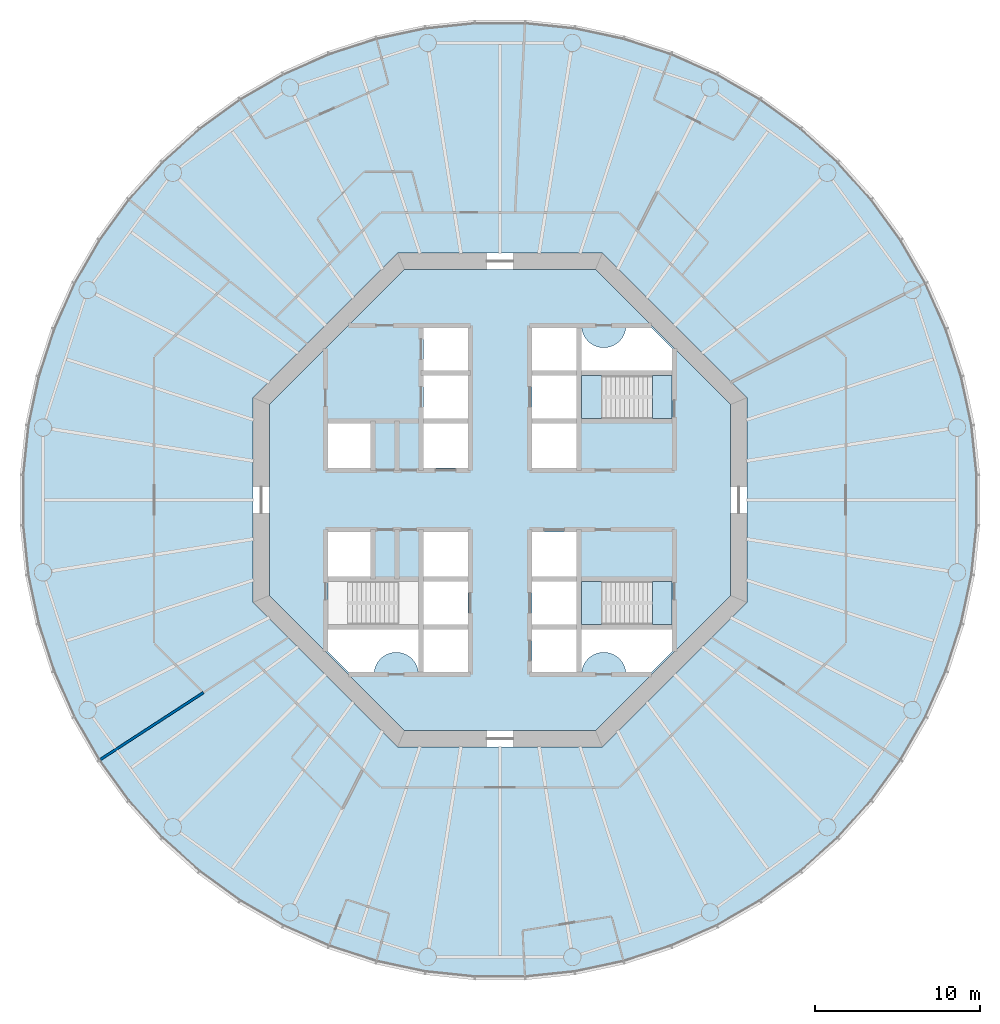
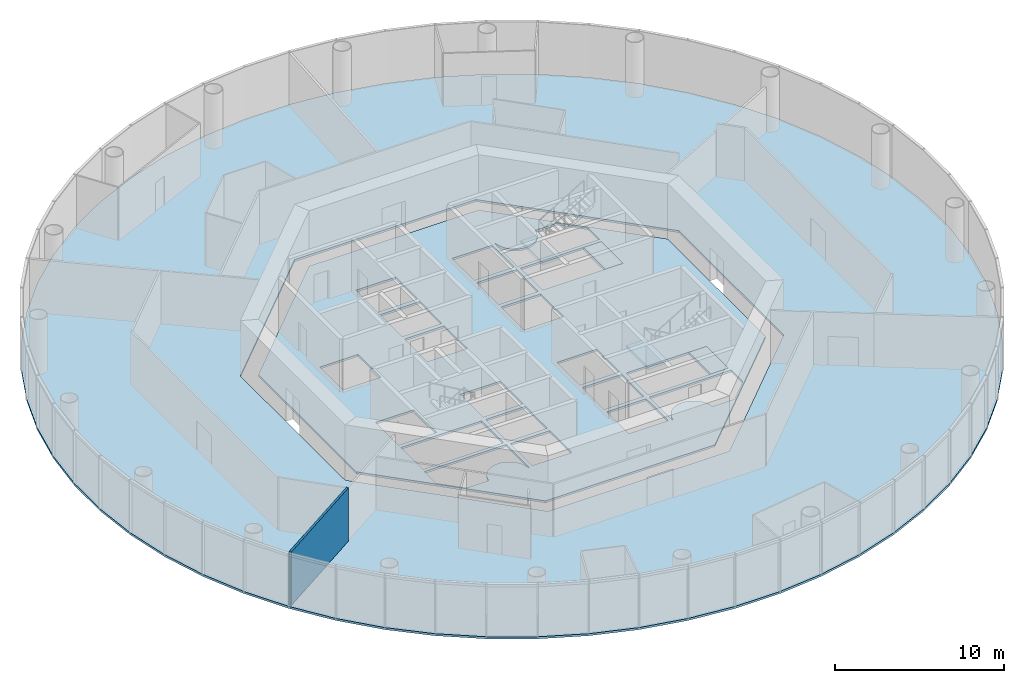
# One storey, part 2 of 13: 6 slabs, 1 wall, 2 elements without a shape of their own.
"""IFC4 building model written with IfcOpenShell, lengths in metres."""

from ifc_helpers import new_model, si_unit, direction, frame, frame_2d, origin, place, context, subcontext, project, spatial, polyline, rectangle, outline, extrude, material, layer, layer_set, type_object, element, aggregate, save


model = new_model("IFC4")

# Units and contexts
model_context = context("Model", 3, precision=1e-05, world=origin(), true_north=direction((0.0, 1.0)))
body_context = subcontext(model_context, "Body", "Model", "MODEL_VIEW")
ifc_project = project(units=[si_unit("LENGTHUNIT", "METRE"), si_unit("AREAUNIT", "SQUARE_METRE"), si_unit("VOLUMEUNIT", "CUBIC_METRE"), si_unit("PLANEANGLEUNIT", "RADIAN"), si_unit("MASSUNIT", "GRAM", prefix="KILO")], contexts=[model_context])

# Site, building, storey
site_placement = place(None, origin())
site = spatial("IfcSite", under=ifc_project, at=site_placement, CompositionType="ELEMENT")
building_placement = place(site_placement, origin())
building = spatial("IfcBuilding", under=site, at=building_placement, Name="Entoto Ring Tower", CompositionType="ELEMENT")
storey_placement = place(building_placement, frame((0.0, 0.0, 156.0)))
storey = spatial("IfcBuildingStorey", under=building, at=storey_placement, Name="L35", CompositionType="ELEMENT", Elevation=156.0)

# Slabs
ifc_material_1 = material(Name="Concrete C30/37", Category="concrete")
ifc_layer_1 = layer(ifc_material_1, 0.14990234375)
ifc_layer_set_1 = layer_set([ifc_layer_1], Name="Concrete C30/37")
slab_type_1 = type_object("IfcSlabType", Name="Composite floor slab 150 mm", PredefinedType="FLOOR", material=ifc_layer_set_1)
slab_1_placement = place(storey_placement, frame((0.0, 0.0, -0.14990234375)))
element("IfcSlab", 1, at=slab_1_placement, inside=storey, type_object=slab_type_1, Name="Floor slab L35", PredefinedType="FLOOR", context=body_context, shape_type="SweptSolid", body=[
    extrude(outline(polyline([(118.74169921875, 84.55224609375), (118.1083984375, 87.53173828125), (117.167236328125, 90.428466796875), (115.92822265625, 93.211181640625), (114.4052734375, 95.848876953125), (112.614990234375, 98.313232421875), (110.576904296875, 100.576904296875), (108.313232421875, 102.614990234375), (105.848876953125, 104.4052734375), (103.211181640625, 105.92822265625), (100.428466796875, 107.167236328125), (97.53173828125, 108.1083984375), (94.55224609375, 108.74169921875), (91.52294921875, 109.06005859375), (88.47705078125, 109.06005859375), (85.44775390625, 108.74169921875), (82.46826171875, 108.1083984375), (79.571533203125, 107.167236328125), (76.788818359375, 105.92822265625), (74.151123046875, 104.4052734375), (71.686767578125, 102.614990234375), (69.423095703125, 100.576904296875), (67.385009765625, 98.313232421875), (65.5947265625, 95.848876953125), (64.07177734375, 93.211181640625), (62.832763671875, 90.428466796875), (61.8916015625, 87.53173828125), (61.25830078125, 84.55224609375), (60.93994140625, 81.52294921875), (60.93994140625, 78.47705078125), (61.25830078125, 75.44775390625), (61.8916015625, 72.46826171875), (62.832763671875, 69.571533203125), (64.07177734375, 66.788818359375), (65.5947265625, 64.151123046875), (67.385009765625, 61.686767578125), (69.423095703125, 59.423095703125), (71.686767578125, 57.385009765625), (74.151123046875, 55.5947265625), (76.788818359375, 54.07177734375), (79.571533203125, 52.832763671875), (82.46826171875, 51.8916015625), (85.44775390625, 51.25830078125), (88.47705078125, 50.93994140625), (91.52294921875, 50.93994140625), (94.55224609375, 51.25830078125), (97.53173828125, 51.8916015625), (100.428466796875, 52.832763671875), (103.211181640625, 54.07177734375), (105.848876953125, 55.5947265625), (108.313232421875, 57.385009765625), (110.576904296875, 59.423095703125), (112.614990234375, 61.686767578125), (114.4052734375, 64.151123046875), (115.92822265625, 66.788818359375), (117.167236328125, 69.571533203125), (118.1083984375, 72.46826171875), (118.74169921875, 75.44775390625), (119.06005859375, 78.47705078125), (119.06005859375, 81.52294921875), (118.74169921875, 84.55224609375)]), holes=[polyline([(105.0, 73.786865234375), (105.0, 86.213134765625), (96.213134765625, 95.0), (83.786865234375, 95.0), (75.0, 86.213134765625), (75.0, 73.786865234375), (83.786865234375, 65.0), (96.213134765625, 65.0), (105.0, 73.786865234375)])]), origin(), (0.0, 0.0, 1.0), 0.14990234375),
])
ifc_material_2 = material(Name="Concrete C40/50", Category="concrete")
ifc_layer_2 = layer(ifc_material_2, 0.14990234375)
ifc_layer_set_2 = layer_set([ifc_layer_2], Name="Concrete C40/50")
slab_type_2 = type_object("IfcSlabType", Name="Core floor slab 150 mm reinforced concrete C40/50", PredefinedType="FLOOR", material=ifc_layer_set_2)
slab_2_placement = place(storey_placement, frame((0.0, 0.0, -0.14990234375)))
element("IfcSlab", 2, at=slab_2_placement, inside=storey, type_object=slab_type_2, Name="Core floor L35", PredefinedType="FLOOR", context=body_context, shape_type="SweptSolid", body=[
    extrude(outline(polyline([(104.0, 74.200927734375), (104.0, 85.799072265625), (95.799072265625, 94.0), (84.200927734375, 94.0), (76.0, 85.799072265625), (76.0, 74.200927734375), (84.200927734375, 66.0), (95.799072265625, 66.0), (104.0, 74.200927734375)]), holes=[polyline([(100.449951171875, 84.949951171875), (100.449951171875, 87.550048828125), (94.949951171875, 87.550048828125), (94.949951171875, 84.949951171875), (100.449951171875, 84.949951171875)]), polyline([(85.050048828125, 72.449951171875), (85.050048828125, 75.050048828125), (79.550048828125, 75.050048828125), (79.550048828125, 72.449951171875), (85.050048828125, 72.449951171875)]), polyline([(100.449951171875, 72.449951171875), (100.449951171875, 75.050048828125), (94.949951171875, 75.050048828125), (94.949951171875, 72.449951171875), (100.449951171875, 72.449951171875)]), polyline([(91.949951171875, 84.949951171875), (94.64990234375, 84.949951171875), (94.64990234375, 87.550048828125), (91.949951171875, 87.550048828125), (91.949951171875, 84.949951171875)]), polyline([(91.949951171875, 72.449951171875), (94.64990234375, 72.449951171875), (94.64990234375, 75.050048828125), (91.949951171875, 75.050048828125), (91.949951171875, 72.449951171875)]), polyline([(91.949951171875, 69.550048828125), (94.64990234375, 69.550048828125), (94.64990234375, 72.14990234375), (91.949951171875, 72.14990234375), (91.949951171875, 69.550048828125)]), polyline([(85.35009765625, 72.449951171875), (88.050048828125, 72.449951171875), (88.050048828125, 75.050048828125), (85.35009765625, 75.050048828125), (85.35009765625, 72.449951171875)]), polyline([(85.35009765625, 81.949951171875), (88.050048828125, 81.949951171875), (88.050048828125, 84.64990234375), (85.35009765625, 84.64990234375), (85.35009765625, 81.949951171875)]), polyline([(91.949951171875, 75.35009765625), (94.64990234375, 75.35009765625), (94.64990234375, 78.050048828125), (91.949951171875, 78.050048828125), (91.949951171875, 75.35009765625)]), polyline([(79.550048828125, 81.949951171875), (82.14990234375, 81.949951171875), (82.14990234375, 84.64990234375), (79.550048828125, 84.64990234375), (79.550048828125, 81.949951171875)]), polyline([(79.550048828125, 75.35009765625), (82.14990234375, 75.35009765625), (82.14990234375, 78.050048828125), (79.550048828125, 78.050048828125), (79.550048828125, 75.35009765625)]), polyline([(91.949951171875, 87.85009765625), (94.64990234375, 87.85009765625), (94.64990234375, 90.449951171875), (91.949951171875, 90.449951171875), (91.949951171875, 87.85009765625)]), polyline([(85.35009765625, 69.550048828125), (88.050048828125, 69.550048828125), (88.050048828125, 72.14990234375), (85.35009765625, 72.14990234375), (85.35009765625, 69.550048828125)]), polyline([(91.949951171875, 81.949951171875), (94.64990234375, 81.949951171875), (94.64990234375, 84.64990234375), (91.949951171875, 84.64990234375), (91.949951171875, 81.949951171875)]), polyline([(85.35009765625, 75.35009765625), (88.050048828125, 75.35009765625), (88.050048828125, 78.050048828125), (85.35009765625, 78.050048828125), (85.35009765625, 75.35009765625)]), polyline([(85.35009765625, 84.949951171875), (88.050048828125, 84.949951171875), (88.050048828125, 87.550048828125), (85.35009765625, 87.550048828125), (85.35009765625, 84.949951171875)]), polyline([(85.35009765625, 87.85009765625), (88.050048828125, 87.85009765625), (88.050048828125, 90.449951171875), (85.35009765625, 90.449951171875), (85.35009765625, 87.85009765625)]), polyline([(94.89990234375, 90.5), (94.89990234375, 87.800048828125), (100.5, 87.800048828125), (100.5, 89.15771484375), (99.15771484375, 90.5), (97.64501953125, 90.5), (97.6435546875, 90.4677734375), (97.6240234375, 90.336669921875), (97.591796875, 90.2080078125), (97.547119140625, 90.08349609375), (97.490478515625, 89.963623046875), (97.422607421875, 89.85009765625), (97.343505859375, 89.74365234375), (97.254638671875, 89.6455078125), (97.156494140625, 89.556396484375), (97.050048828125, 89.4775390625), (96.936279296875, 89.409423828125), (96.816650390625, 89.352783203125), (96.69189453125, 89.30810546875), (96.5634765625, 89.27587890625), (96.432373046875, 89.256591796875), (96.300048828125, 89.25), (96.167724609375, 89.256591796875), (96.03662109375, 89.27587890625), (95.908203125, 89.30810546875), (95.783447265625, 89.352783203125), (95.66357421875, 89.409423828125), (95.550048828125, 89.4775390625), (95.443603515625, 89.556396484375), (95.345458984375, 89.6455078125), (95.25634765625, 89.74365234375), (95.177490234375, 89.85009765625), (95.109375, 89.963623046875), (95.052734375, 90.08349609375), (95.008056640625, 90.2080078125), (94.975830078125, 90.336669921875), (94.95654296875, 90.4677734375), (94.954833984375, 90.5), (94.89990234375, 90.5)]), polyline([(79.5, 70.84228515625), (80.84228515625, 69.5), (82.35498046875, 69.5), (82.3564453125, 69.5322265625), (82.3759765625, 69.663330078125), (82.408203125, 69.7919921875), (82.452880859375, 69.91650390625), (82.509521484375, 70.036376953125), (82.577392578125, 70.14990234375), (82.656494140625, 70.25634765625), (82.745361328125, 70.3544921875), (82.843505859375, 70.443603515625), (82.949951171875, 70.5224609375), (83.063720703125, 70.590576171875), (83.183349609375, 70.647216796875), (83.30810546875, 70.69189453125), (83.4365234375, 70.72412109375), (83.567626953125, 70.743408203125), (83.699951171875, 70.75), (83.832275390625, 70.743408203125), (83.96337890625, 70.72412109375), (84.091796875, 70.69189453125), (84.216552734375, 70.647216796875), (84.33642578125, 70.590576171875), (84.449951171875, 70.5224609375), (84.556396484375, 70.443603515625), (84.654541015625, 70.3544921875), (84.74365234375, 70.25634765625), (84.822509765625, 70.14990234375), (84.890625, 70.036376953125), (84.947265625, 69.91650390625), (84.991943359375, 69.7919921875), (85.024169921875, 69.663330078125), (85.04345703125, 69.5322265625), (85.045166015625, 69.5), (85.10009765625, 69.5), (85.10009765625, 72.199951171875), (79.5, 72.199951171875), (79.5, 70.84228515625)]), polyline([(97.64501953125, 69.5), (99.15771484375, 69.5), (100.5, 70.84228515625), (100.5, 72.199951171875), (94.89990234375, 72.199951171875), (94.89990234375, 69.5), (94.954833984375, 69.5), (94.95654296875, 69.5322265625), (94.975830078125, 69.663330078125), (95.008056640625, 69.7919921875), (95.052734375, 69.91650390625), (95.109375, 70.036376953125), (95.177490234375, 70.14990234375), (95.25634765625, 70.25634765625), (95.345458984375, 70.3544921875), (95.443603515625, 70.443603515625), (95.550048828125, 70.5224609375), (95.66357421875, 70.590576171875), (95.783447265625, 70.647216796875), (95.908203125, 70.69189453125), (96.03662109375, 70.72412109375), (96.167724609375, 70.743408203125), (96.300048828125, 70.75), (96.432373046875, 70.743408203125), (96.5634765625, 70.72412109375), (96.69189453125, 70.69189453125), (96.816650390625, 70.647216796875), (96.936279296875, 70.590576171875), (97.050048828125, 70.5224609375), (97.156494140625, 70.443603515625), (97.254638671875, 70.3544921875), (97.343505859375, 70.25634765625), (97.422607421875, 70.14990234375), (97.490478515625, 70.036376953125), (97.547119140625, 69.91650390625), (97.591796875, 69.7919921875), (97.6240234375, 69.663330078125), (97.6435546875, 69.5322265625), (97.64501953125, 69.5)])]), origin(), (0.0, 0.0, 1.0), 0.14990234375),
])

# Stair, slabs
ifc_material_3 = material(Name="Concrete C40/50", Category="concrete")
stair_type = type_object("IfcStairType", Name="Exit stair 1200 mm dog-leg reinforced concrete", PredefinedType="HALF_TURN_STAIR", material=ifc_material_3)
stair_1_placement = place(storey_placement, origin())
stair_1 = element("IfcStair", 3, at=stair_1_placement, inside=storey, type_object=stair_type, Name="Exit stair 1", PredefinedType="HALF_TURN_STAIR")
ifc_material_4 = material(Name="Concrete C40/50", Category="concrete")
ifc_layer_3 = layer(ifc_material_4, 0.199951171875)
ifc_layer_set_3 = layer_set([ifc_layer_3], Name="Concrete C40/50")
slab_type_3 = type_object("IfcSlabType", Name="Stair landing 200 mm reinforced concrete", PredefinedType="LANDING", material=ifc_layer_set_3)
slab_3_placement = place(storey_placement, frame((0.0, 0.0, -0.199951171875)))
slab_3 = element("IfcSlab", 4, at=slab_3_placement, type_object=slab_type_3, Name="ST1 landing 1", PredefinedType="LANDING", context=body_context, shape_type="SweptSolid", body=[
    extrude(outline(polyline([(100.449951171875, 84.949951171875), (100.449951171875, 87.550048828125), (99.25, 87.550048828125), (99.25, 84.949951171875), (100.449951171875, 84.949951171875)])), origin(), (0.0, 0.0, 1.0), 0.199951171875),
])
slab_4_placement = place(storey_placement, frame((0.0, 0.0, 1.800048828125)))
slab_4 = element("IfcSlab", 5, at=slab_4_placement, type_object=slab_type_3, Name="ST1 landing 2", PredefinedType="LANDING", context=body_context, shape_type="SweptSolid", body=[
    extrude(outline(polyline([(94.949951171875, 84.949951171875), (96.169921875, 84.949951171875), (96.169921875, 87.550048828125), (94.949951171875, 87.550048828125), (94.949951171875, 84.949951171875)])), origin(), (0.0, 0.0, 1.0), 0.199951171875),
])
aggregate(stair_1, [slab_3, slab_4])

stair_2_placement = place(storey_placement, origin())
stair_2 = element("IfcStair", 6, at=stair_2_placement, inside=storey, type_object=stair_type, Name="Exit stair 3", PredefinedType="HALF_TURN_STAIR")
slab_5_placement = place(storey_placement, frame((0.0, 0.0, -0.199951171875)))
slab_5 = element("IfcSlab", 7, at=slab_5_placement, type_object=slab_type_3, Name="ST3 landing 1", PredefinedType="LANDING", context=body_context, shape_type="SweptSolid", body=[
    extrude(outline(polyline([(100.449951171875, 72.449951171875), (100.449951171875, 75.050048828125), (99.25, 75.050048828125), (99.25, 72.449951171875), (100.449951171875, 72.449951171875)])), origin(), (0.0, 0.0, 1.0), 0.199951171875),
])
slab_6_placement = place(storey_placement, frame((0.0, 0.0, 1.800048828125)))
slab_6 = element("IfcSlab", 8, at=slab_6_placement, type_object=slab_type_3, Name="ST3 landing 2", PredefinedType="LANDING", context=body_context, shape_type="SweptSolid", body=[
    extrude(outline(polyline([(94.949951171875, 72.449951171875), (96.169921875, 72.449951171875), (96.169921875, 75.050048828125), (94.949951171875, 75.050048828125), (94.949951171875, 72.449951171875)])), origin(), (0.0, 0.0, 1.0), 0.199951171875),
])
aggregate(stair_2, [slab_5, slab_6])

# Wall
ifc_material_5 = material(Name="Fire-resisting acoustic plasterboard on steel studs", Category="steel")
ifc_layer_4 = layer(ifc_material_5, 0.14990234375)
ifc_layer_set_4 = layer_set([ifc_layer_4], Name="Fire-resisting acoustic plasterboard on steel studs")
wall_type = type_object("IfcWallType", Name="Party wall 150 mm one-hour acoustic plasterboard on steel studs", PredefinedType="PARTITIONING", material=ifc_layer_set_4)
wall_placement = place(storey_placement, frame((65.72900390625, 64.238037109375, 0.0), z_axis=(0.0, 0.0, 1.0), x_axis=(0.838666792269, 0.544644849003, 0.0)))
element("IfcWall", 9, at=wall_placement, inside=storey, type_object=wall_type, Name="partition-L35-019", PredefinedType="PARTITIONING", context=body_context, shape_type="SweptSolid", body=[
    extrude(rectangle(XDim=7.470703125, YDim=0.14990234375, at=frame_2d((3.7353515625, 0.0))), origin(), (0.0, 0.0, 1.0), 3.85009765625),
])

save(model, "model.ifc")
